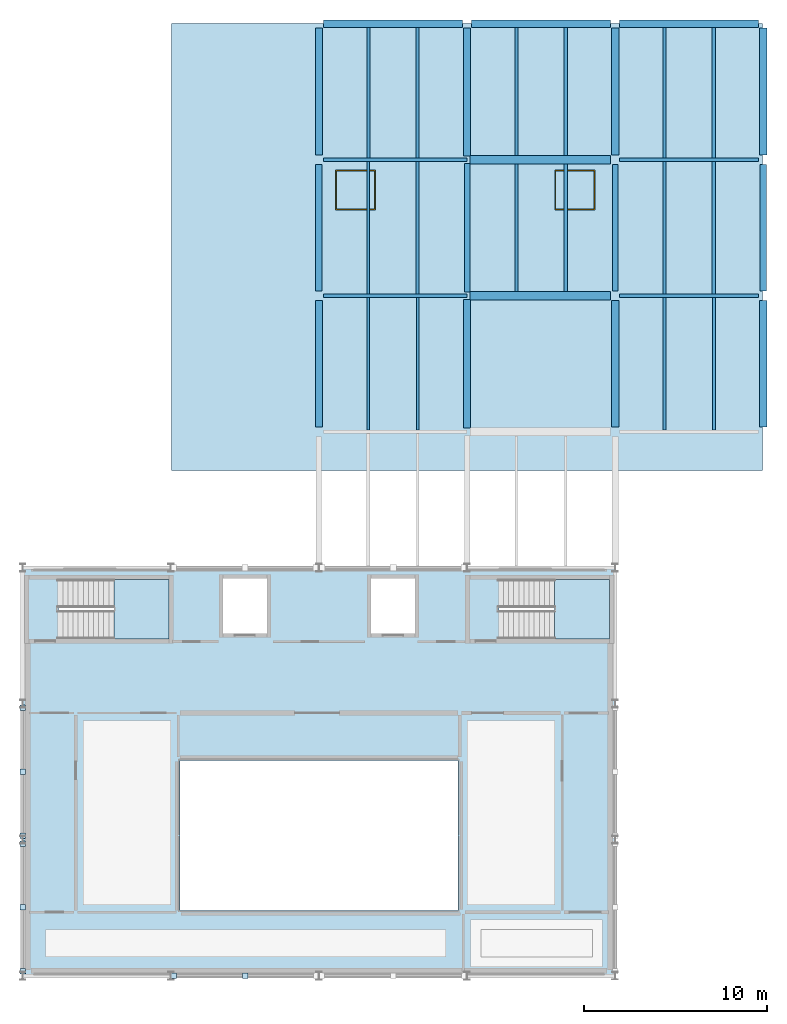
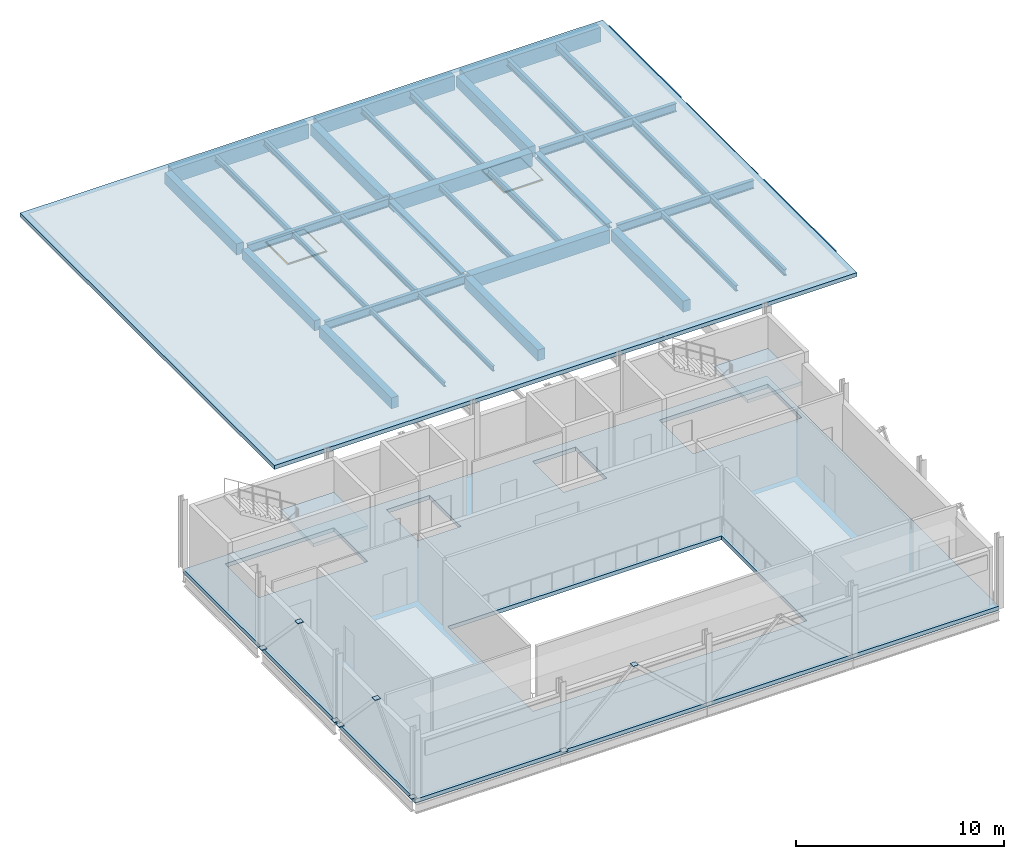
# One storey, part 2 of 7: 37 beams, 10 plates, 4 slabs, 2 windows, 2 openings, 2 elements without a shape of their own.
"""IFC4 building model written with IfcOpenShell, lengths in metres."""

from ifc_helpers import new_model, si_unit, direction, frame, origin, origin_2d, place, context, subcontext, project, spatial, polyline, rectangle, i_section, outline, extrude, material, layer, layer_set, material_profile, profile_set, type_object, element, fill, aggregate, save


model = new_model("IFC4")

# Units and contexts
model_context = context("Model", 3, precision=1e-05, world=origin(), true_north=direction((0.0, 1.0)))
body_context = subcontext(model_context, "Body", "Model", "MODEL_VIEW")
ifc_project = project(units=[si_unit("LENGTHUNIT", "METRE"), si_unit("AREAUNIT", "SQUARE_METRE"), si_unit("VOLUMEUNIT", "CUBIC_METRE"), si_unit("PLANEANGLEUNIT", "RADIAN"), si_unit("MASSUNIT", "GRAM", prefix="KILO")], contexts=[model_context])

# Site, building, storey
site_placement = place(None, origin())
site = spatial("IfcSite", under=ifc_project, at=site_placement, CompositionType="ELEMENT")
building_placement = place(site_placement, origin())
building = spatial("IfcBuilding", under=site, at=building_placement, Name="Kaelora Sail Theatre", CompositionType="ELEMENT")
storey_placement = place(building_placement, frame((0.0, 0.0, 23.39990234375)))
storey = spatial("IfcBuildingStorey", under=building, at=storey_placement, Name="L05", CompositionType="ELEMENT", Elevation=23.39990234375)

# Beams
ifc_material_1 = material(Name="Steel S355", Category="steel")
ifc_material_profile_1 = material_profile(ifc_material_1, i_section(OverallWidth=0.300048828125, OverallDepth=0.31005859375, WebThickness=0.009033203125, FlangeThickness=0.015380859375, FilletRadius=0.027099609375, at=origin_2d()), Name="HEA 320")
ifc_profile_set_1 = profile_set([ifc_material_profile_1], Name="Steel S355")
beam_type_1 = type_object("IfcBeamType", Name="STR-BM-BM-HEA320", PredefinedType="BEAM", material=ifc_profile_set_1)
beam_1_placement = place(storey_placement, frame((50.10009765625, 98.419921875, -0.389892578125), z_axis=(0.0, 1.0, 0.0), x_axis=(-1.0, 0.0, 0.0)))
element("IfcBeam", 1, at=beam_1_placement, inside=storey, type_object=beam_type_1, Name="Primary beam 7 N-O (L05)", PredefinedType="BEAM", context=body_context, shape_type="SweptSolid", body=[
    extrude(i_section(OverallWidth=0.300048828125, OverallDepth=0.31005859375, WebThickness=0.009033203125, FlangeThickness=0.015380859375, FilletRadius=0.027099609375, at=origin_2d()), origin(), (0.0, 0.0, 1.0), 7.0400390625),
])
beam_2_placement = place(storey_placement, frame((58.199951171875, 98.469970703125, -0.389892578125), z_axis=(0.0, 1.0, 0.0), x_axis=(-1.0, 0.0, 0.0)))
element("IfcBeam", 2, at=beam_2_placement, inside=storey, type_object=beam_type_1, Name="Primary beam 8 N-O (L05)", PredefinedType="BEAM", context=body_context, shape_type="SweptSolid", body=[
    extrude(i_section(OverallWidth=0.300048828125, OverallDepth=0.31005859375, WebThickness=0.009033203125, FlangeThickness=0.015380859375, FilletRadius=0.027099609375, at=origin_2d()), origin(), (0.0, 0.0, 1.0), 6.93994140625),
])
ifc_material_2 = material(Name="Steel S355", Category="steel")
ifc_material_profile_2 = material_profile(ifc_material_2, i_section(OverallWidth=0.18994140625, OverallDepth=0.449951171875, WebThickness=0.009521484375, FlangeThickness=0.0146484375, FilletRadius=0.02099609375, at=origin_2d()), Name="IPE 450")
ifc_profile_set_2 = profile_set([ifc_material_profile_2], Name="Steel S355")
beam_type_2 = type_object("IfcBeamType", Name="STR-BM-BM-IPE450", PredefinedType="BEAM", material=ifc_profile_set_2)
beam_3_placement = place(storey_placement, frame((63.60009765625, 105.760009765625, -0.4599609375), z_axis=(0.0, 1.0, 0.0), x_axis=(-1.0, 0.0, 0.0)))
element("IfcBeam", 3, at=beam_3_placement, inside=storey, type_object=beam_type_2, Name="Secondary floor joist 8/O-2 (L05)", PredefinedType="BEAM", context=body_context, shape_type="SweptSolid", body=[
    extrude(i_section(OverallWidth=0.18994140625, OverallDepth=0.449951171875, WebThickness=0.009521484375, FlangeThickness=0.0146484375, FilletRadius=0.02099609375, at=origin_2d()), origin(), (0.0, 0.0, 1.0), 7.139892578125),
])
ifc_material_3 = material(Name="Steel S355", Category="steel")
ifc_material_profile_3 = material_profile(ifc_material_3, i_section(OverallWidth=0.199951171875, OverallDepth=0.5, WebThickness=0.01025390625, FlangeThickness=0.01611328125, FilletRadius=0.02099609375, at=origin_2d()), Name="IPE 500")
ifc_profile_set_3 = profile_set([ifc_material_profile_3], Name="Steel S355")
beam_type_3 = type_object("IfcBeamType", Name="STR-BM-BM-IPE500", PredefinedType="BEAM", material=ifc_profile_set_3)
for number, where, z_axis, x_axis, name in (
    (4, (42.25, 98.219970703125, -0.48486328125), (1.0, 0.0, 0.0), (0.0, 1.0, 0.0), "Primary beam N 6-7 (L05)"),
    (5, (42.25, 105.659912109375, -0.48486328125), (1.0, 0.0, 0.0), (0.0, 1.0, 0.0), "Primary beam O 6-7 (L05)"),
):
    element("IfcBeam", number, at=place(storey_placement, frame(where, z_axis=z_axis, x_axis=x_axis)), inside=storey, type_object=beam_type_3, Name=name, PredefinedType="BEAM", context=body_context, shape_type="SweptSolid", body=[
        extrude(i_section(OverallWidth=0.199951171875, OverallDepth=0.5, WebThickness=0.01025390625, FlangeThickness=0.01611328125, FilletRadius=0.02099609375, at=origin_2d()), origin(), (0.0, 0.0, 1.0), 7.841064453125),
    ])
for number, where, z_axis, x_axis, name in (
    (6, (58.449951171875, 98.219970703125, -0.48486328125), (1.0, 0.0, 0.0), (0.0, 1.0, 0.0), "Primary beam N 8-9 (L05)"),
    (7, (58.449951171875, 105.659912109375, -0.48486328125), (1.0, 0.0, 0.0), (0.0, 1.0, 0.0), "Primary beam O 8-9 (L05)"),
):
    element("IfcBeam", number, at=place(storey_placement, frame(where, z_axis=z_axis, x_axis=x_axis)), inside=storey, type_object=beam_type_3, Name=name, PredefinedType="BEAM", context=body_context, shape_type="SweptSolid", body=[
        extrude(i_section(OverallWidth=0.199951171875, OverallDepth=0.5, WebThickness=0.01025390625, FlangeThickness=0.01611328125, FilletRadius=0.02099609375, at=origin_2d()), origin(), (0.0, 0.0, 1.0), 7.60009765625),
    ])
ifc_material_4 = material(Name="Concrete C40/50", Category="concrete")
ifc_material_profile_4 = material_profile(ifc_material_4, rectangle(XDim=0.35009765625, YDim=0.60009765625, at=origin_2d()), Name="RC-BM 350x600")
ifc_profile_set_4 = profile_set([ifc_material_profile_4], Name="Concrete C40/50")
beam_type_4 = type_object("IfcBeamType", Name="STR-BM-BM-RC3560", PredefinedType="BEAM", material=ifc_profile_set_4)
for number, where, z_axis, x_axis, name in (
    (8, (42.0, 98.469970703125, -0.534912109375), (0.0, 1.0, 0.0), (-1.0, 0.0, 0.0), "Primary beam 6 N-O (L05)"),
    (9, (66.300048828125, 98.469970703125, -0.534912109375), (0.0, 1.0, 0.0), (-1.0, 0.0, 0.0), "Primary beam 9 N-O (L05)"),
):
    element("IfcBeam", number, at=place(storey_placement, frame(where, z_axis=z_axis, x_axis=x_axis)), inside=storey, type_object=beam_type_4, Name=name, PredefinedType="BEAM", context=body_context, shape_type="SweptSolid", body=[
        extrude(rectangle(XDim=0.35009765625, YDim=0.60009765625, at=origin_2d()), origin(), (0.0, 0.0, 1.0), 6.93994140625),
    ])
ifc_material_5 = material(Name="Concrete C40/50", Category="concrete")
ifc_material_profile_5 = material_profile(ifc_material_5, rectangle(XDim=0.39990234375, YDim=0.64990234375, at=origin_2d()), Name="RC-BM 400x650")
ifc_profile_set_5 = profile_set([ifc_material_profile_5], Name="Concrete C40/50")
beam_type_5 = type_object("IfcBeamType", Name="STR-BM-BM-RC4065", PredefinedType="BEAM", material=ifc_profile_set_5)
beam_4_placement = place(storey_placement, frame((42.0, 91.030029296875, -0.559814453125), z_axis=(0.0, 1.0, 0.0), x_axis=(-1.0, 0.0, 0.0)))
element("IfcBeam", 10, at=beam_4_placement, inside=storey, type_object=beam_type_5, Name="Primary beam 6 M-N (L05)", PredefinedType="BEAM", context=body_context, shape_type="SweptSolid", body=[
    extrude(rectangle(XDim=0.39990234375, YDim=0.64990234375, at=origin_2d()), origin(), (0.0, 0.0, 1.0), 6.93994140625),
])
beam_5_placement = place(storey_placement, frame((42.0, 105.909912109375, -0.559814453125), z_axis=(0.0, 1.0, 0.0), x_axis=(-1.0, 0.0, 0.0)))
element("IfcBeam", 11, at=beam_5_placement, inside=storey, type_object=beam_type_5, Name="Primary beam 6 O-P (L05)", PredefinedType="BEAM", context=body_context, shape_type="SweptSolid", body=[
    extrude(rectangle(XDim=0.39990234375, YDim=0.64990234375, at=origin_2d()), origin(), (0.0, 0.0, 1.0), 6.940185546875),
])
beam_6_placement = place(storey_placement, frame((50.10009765625, 90.97998046875, -0.559814453125), z_axis=(0.0, 1.0, 0.0), x_axis=(-1.0, 0.0, 0.0)))
element("IfcBeam", 12, at=beam_6_placement, inside=storey, type_object=beam_type_5, Name="Primary beam 7 M-N (L05)", PredefinedType="BEAM", context=body_context, shape_type="SweptSolid", body=[
    extrude(rectangle(XDim=0.39990234375, YDim=0.64990234375, at=origin_2d()), origin(), (0.0, 0.0, 1.0), 7.0400390625),
])
beam_7_placement = place(storey_placement, frame((50.10009765625, 105.860107421875, -0.559814453125), z_axis=(0.0, 1.0, 0.0), x_axis=(-1.0, 0.0, 0.0)))
element("IfcBeam", 13, at=beam_7_placement, inside=storey, type_object=beam_type_5, Name="Primary beam 7 O-P (L05)", PredefinedType="BEAM", context=body_context, shape_type="SweptSolid", body=[
    extrude(rectangle(XDim=0.39990234375, YDim=0.64990234375, at=origin_2d()), origin(), (0.0, 0.0, 1.0), 6.989990234375),
])
beam_8_placement = place(storey_placement, frame((58.199951171875, 91.030029296875, -0.559814453125), z_axis=(0.0, 1.0, 0.0), x_axis=(-1.0, 0.0, 0.0)))
element("IfcBeam", 14, at=beam_8_placement, inside=storey, type_object=beam_type_5, Name="Primary beam 8 M-N (L05)", PredefinedType="BEAM", context=body_context, shape_type="SweptSolid", body=[
    extrude(rectangle(XDim=0.39990234375, YDim=0.64990234375, at=origin_2d()), origin(), (0.0, 0.0, 1.0), 6.93994140625),
])
beam_9_placement = place(storey_placement, frame((58.199951171875, 105.909912109375, -0.559814453125), z_axis=(0.0, 1.0, 0.0), x_axis=(-1.0, 0.0, 0.0)))
element("IfcBeam", 15, at=beam_9_placement, inside=storey, type_object=beam_type_5, Name="Primary beam 8 O-P (L05)", PredefinedType="BEAM", context=body_context, shape_type="SweptSolid", body=[
    extrude(rectangle(XDim=0.39990234375, YDim=0.64990234375, at=origin_2d()), origin(), (0.0, 0.0, 1.0), 6.940185546875),
])
beam_10_placement = place(storey_placement, frame((66.300048828125, 91.030029296875, -0.559814453125), z_axis=(0.0, 1.0, 0.0), x_axis=(-1.0, 0.0, 0.0)))
element("IfcBeam", 16, at=beam_10_placement, inside=storey, type_object=beam_type_5, Name="Primary beam 9 M-N (L05)", PredefinedType="BEAM", context=body_context, shape_type="SweptSolid", body=[
    extrude(rectangle(XDim=0.39990234375, YDim=0.64990234375, at=origin_2d()), origin(), (0.0, 0.0, 1.0), 6.93994140625),
])
beam_11_placement = place(storey_placement, frame((66.300048828125, 105.909912109375, -0.559814453125), z_axis=(0.0, 1.0, 0.0), x_axis=(-1.0, 0.0, 0.0)))
element("IfcBeam", 17, at=beam_11_placement, inside=storey, type_object=beam_type_5, Name="Primary beam 9 O-P (L05)", PredefinedType="BEAM", context=body_context, shape_type="SweptSolid", body=[
    extrude(rectangle(XDim=0.39990234375, YDim=0.64990234375, at=origin_2d()), origin(), (0.0, 0.0, 1.0), 6.940185546875),
])
ifc_material_6 = material(Name="Concrete C45/55", Category="concrete")
ifc_material_profile_6 = material_profile(ifc_material_6, rectangle(XDim=0.449951171875, YDim=0.800048828125, at=origin_2d()), Name="RC-BM 450x800")
ifc_profile_set_6 = profile_set([ifc_material_profile_6], Name="Concrete C45/55")
beam_type_6 = type_object("IfcBeamType", Name="STR-BM-BM-RC4580", PredefinedType="BEAM", material=ifc_profile_set_6)
for number, where, z_axis, x_axis, name in (
    (18, (50.25, 98.219970703125, -0.635009765625), (1.0, 0.0, 0.0), (0.0, 1.0, 0.0), "Primary beam N 7-8 (L05)"),
    (19, (50.25, 105.659912109375, -0.635009765625), (1.0, 0.0, 0.0), (0.0, 1.0, 0.0), "Primary beam O 7-8 (L05)"),
):
    element("IfcBeam", number, at=place(storey_placement, frame(where, z_axis=z_axis, x_axis=x_axis)), inside=storey, type_object=beam_type_6, Name=name, PredefinedType="BEAM", context=body_context, shape_type="SweptSolid", body=[
        extrude(rectangle(XDim=0.449951171875, YDim=0.800048828125, at=origin_2d()), origin(), (0.0, 0.0, 1.0), 7.699951171875),
    ])
ifc_material_7 = material(Name="Steel S355", Category="steel")
ifc_material_profile_7 = material_profile(ifc_material_7, i_section(OverallWidth=0.135009765625, OverallDepth=0.27001953125, WebThickness=0.006591796875, FlangeThickness=0.01025390625, FilletRadius=0.014892578125, at=origin_2d()), Name="IPE 270")
ifc_profile_set_7 = profile_set([ifc_material_profile_7], Name="Steel S355")
beam_type_7 = type_object("IfcBeamType", Name="STR-BM-JS-IPE270", PredefinedType="JOIST", material=ifc_profile_set_7)
beam_12_placement = place(storey_placement, frame((44.699951171875, 90.8798828125, -0.369873046875), z_axis=(0.0, 1.0, 0.0), x_axis=(-1.0, 0.0, 0.0)))
element("IfcBeam", 20, at=beam_12_placement, inside=storey, type_object=beam_type_7, Name="Secondary floor joist 6/M-1 (L05)", PredefinedType="JOIST", context=body_context, shape_type="SweptSolid", body=[
    extrude(i_section(OverallWidth=0.135009765625, OverallDepth=0.27001953125, WebThickness=0.006591796875, FlangeThickness=0.01025390625, FilletRadius=0.014892578125, at=origin_2d()), origin(), (0.0, 0.0, 1.0), 7.240234375),
])
ifc_material_8 = material(Name="Steel S355", Category="steel")
ifc_material_profile_8 = material_profile(ifc_material_8, i_section(OverallWidth=0.14990234375, OverallDepth=0.300048828125, WebThickness=0.007080078125, FlangeThickness=0.0107421875, FilletRadius=0.014892578125, at=origin_2d()), Name="IPE 300")
ifc_profile_set_8 = profile_set([ifc_material_profile_8], Name="Steel S355")
beam_type_8 = type_object("IfcBeamType", Name="STR-BM-JS-IPE300", PredefinedType="JOIST", material=ifc_profile_set_8)
beam_13_placement = place(storey_placement, frame((47.39990234375, 90.8798828125, -0.385009765625), z_axis=(0.0, 1.0, 0.0), x_axis=(-1.0, 0.0, 0.0)))
element("IfcBeam", 21, at=beam_13_placement, inside=storey, type_object=beam_type_8, Name="Secondary floor joist 6/M-2 (L05)", PredefinedType="JOIST", context=body_context, shape_type="SweptSolid", body=[
    extrude(i_section(OverallWidth=0.14990234375, OverallDepth=0.300048828125, WebThickness=0.007080078125, FlangeThickness=0.0107421875, FilletRadius=0.014892578125, at=origin_2d()), origin(), (0.0, 0.0, 1.0), 7.240234375),
])
beam_14_placement = place(storey_placement, frame((44.699951171875, 98.320068359375, -0.385009765625), z_axis=(0.0, 1.0, 0.0), x_axis=(-1.0, 0.0, 0.0)))
element("IfcBeam", 22, at=beam_14_placement, inside=storey, type_object=beam_type_8, Name="Secondary floor joist 6/N-1 (L05)", PredefinedType="JOIST", context=body_context, shape_type="SweptSolid", body=[
    extrude(i_section(OverallWidth=0.14990234375, OverallDepth=0.300048828125, WebThickness=0.007080078125, FlangeThickness=0.0107421875, FilletRadius=0.014892578125, at=origin_2d()), origin(), (0.0, 0.0, 1.0), 7.239990234375),
])
ifc_material_9 = material(Name="Steel S355", Category="steel")
ifc_material_profile_9 = material_profile(ifc_material_9, i_section(OverallWidth=0.159912109375, OverallDepth=0.330078125, WebThickness=0.007568359375, FlangeThickness=0.011474609375, FilletRadius=0.01806640625, at=origin_2d()), Name="IPE 330")
ifc_profile_set_9 = profile_set([ifc_material_profile_9], Name="Steel S355")
beam_type_9 = type_object("IfcBeamType", Name="STR-BM-JS-IPE330", PredefinedType="JOIST", material=ifc_profile_set_9)
beam_15_placement = place(storey_placement, frame((47.39990234375, 98.320068359375, -0.39990234375), z_axis=(0.0, 1.0, 0.0), x_axis=(-1.0, 0.0, 0.0)))
element("IfcBeam", 23, at=beam_15_placement, inside=storey, type_object=beam_type_9, Name="Secondary floor joist 6/N-2 (L05)", PredefinedType="JOIST", context=body_context, shape_type="SweptSolid", body=[
    extrude(i_section(OverallWidth=0.159912109375, OverallDepth=0.330078125, WebThickness=0.007568359375, FlangeThickness=0.011474609375, FilletRadius=0.01806640625, at=origin_2d()), origin(), (0.0, 0.0, 1.0), 7.239990234375),
])
beam_16_placement = place(storey_placement, frame((44.699951171875, 105.760009765625, -0.39990234375), z_axis=(0.0, 1.0, 0.0), x_axis=(-1.0, 0.0, 0.0)))
element("IfcBeam", 24, at=beam_16_placement, inside=storey, type_object=beam_type_9, Name="Secondary floor joist 6/O-1 (L05)", PredefinedType="JOIST", context=body_context, shape_type="SweptSolid", body=[
    extrude(i_section(OverallWidth=0.159912109375, OverallDepth=0.330078125, WebThickness=0.007568359375, FlangeThickness=0.011474609375, FilletRadius=0.01806640625, at=origin_2d()), origin(), (0.0, 0.0, 1.0), 7.139892578125),
])
beam_17_placement = place(storey_placement, frame((52.800048828125, 98.445068359375, -0.39990234375), z_axis=(0.0, 1.0, 0.0), x_axis=(-1.0, 0.0, 0.0)))
element("IfcBeam", 25, at=beam_17_placement, inside=storey, type_object=beam_type_9, Name="Secondary floor joist 7/N-1 (L05)", PredefinedType="JOIST", context=body_context, shape_type="SweptSolid", body=[
    extrude(i_section(OverallWidth=0.159912109375, OverallDepth=0.330078125, WebThickness=0.007568359375, FlangeThickness=0.011474609375, FilletRadius=0.01806640625, at=origin_2d()), origin(), (0.0, 0.0, 1.0), 6.989990234375),
])
beam_18_placement = place(storey_placement, frame((60.89990234375, 90.8798828125, -0.39990234375), z_axis=(0.0, 1.0, 0.0), x_axis=(-1.0, 0.0, 0.0)))
element("IfcBeam", 26, at=beam_18_placement, inside=storey, type_object=beam_type_9, Name="Secondary floor joist 8/M-1 (L05)", PredefinedType="JOIST", context=body_context, shape_type="SweptSolid", body=[
    extrude(i_section(OverallWidth=0.159912109375, OverallDepth=0.330078125, WebThickness=0.007568359375, FlangeThickness=0.011474609375, FilletRadius=0.01806640625, at=origin_2d()), origin(), (0.0, 0.0, 1.0), 7.240234375),
])
ifc_material_10 = material(Name="Steel S355", Category="steel")
ifc_material_profile_10 = material_profile(ifc_material_10, i_section(OverallWidth=0.169921875, OverallDepth=0.360107421875, WebThickness=0.008056640625, FlangeThickness=0.0126953125, FilletRadius=0.01806640625, at=origin_2d()), Name="IPE 360")
ifc_profile_set_10 = profile_set([ifc_material_profile_10], Name="Steel S355")
beam_type_10 = type_object("IfcBeamType", Name="STR-BM-JS-IPE360", PredefinedType="JOIST", material=ifc_profile_set_10)
beam_19_placement = place(storey_placement, frame((47.39990234375, 105.760009765625, -0.414794921875), z_axis=(0.0, 1.0, 0.0), x_axis=(-1.0, 0.0, 0.0)))
element("IfcBeam", 27, at=beam_19_placement, inside=storey, type_object=beam_type_10, Name="Secondary floor joist 6/O-2 (L05)", PredefinedType="JOIST", context=body_context, shape_type="SweptSolid", body=[
    extrude(i_section(OverallWidth=0.169921875, OverallDepth=0.360107421875, WebThickness=0.008056640625, FlangeThickness=0.0126953125, FilletRadius=0.01806640625, at=origin_2d()), origin(), (0.0, 0.0, 1.0), 7.139892578125),
])
beam_20_placement = place(storey_placement, frame((55.5, 98.445068359375, -0.414794921875), z_axis=(0.0, 1.0, 0.0), x_axis=(-1.0, 0.0, 0.0)))
element("IfcBeam", 28, at=beam_20_placement, inside=storey, type_object=beam_type_10, Name="Secondary floor joist 7/N-2 (L05)", PredefinedType="JOIST", context=body_context, shape_type="SweptSolid", body=[
    extrude(i_section(OverallWidth=0.169921875, OverallDepth=0.360107421875, WebThickness=0.008056640625, FlangeThickness=0.0126953125, FilletRadius=0.01806640625, at=origin_2d()), origin(), (0.0, 0.0, 1.0), 6.989990234375),
])
beam_21_placement = place(storey_placement, frame((52.800048828125, 105.885009765625, -0.414794921875), z_axis=(0.0, 1.0, 0.0), x_axis=(-1.0, 0.0, 0.0)))
element("IfcBeam", 29, at=beam_21_placement, inside=storey, type_object=beam_type_10, Name="Secondary floor joist 7/O-1 (L05)", PredefinedType="JOIST", context=body_context, shape_type="SweptSolid", body=[
    extrude(i_section(OverallWidth=0.169921875, OverallDepth=0.360107421875, WebThickness=0.008056640625, FlangeThickness=0.0126953125, FilletRadius=0.01806640625, at=origin_2d()), origin(), (0.0, 0.0, 1.0), 7.014892578125),
])
beam_22_placement = place(storey_placement, frame((63.60009765625, 90.8798828125, -0.414794921875), z_axis=(0.0, 1.0, 0.0), x_axis=(-1.0, 0.0, 0.0)))
element("IfcBeam", 30, at=beam_22_placement, inside=storey, type_object=beam_type_10, Name="Secondary floor joist 8/M-2 (L05)", PredefinedType="JOIST", context=body_context, shape_type="SweptSolid", body=[
    extrude(i_section(OverallWidth=0.169921875, OverallDepth=0.360107421875, WebThickness=0.008056640625, FlangeThickness=0.0126953125, FilletRadius=0.01806640625, at=origin_2d()), origin(), (0.0, 0.0, 1.0), 7.240234375),
])
beam_23_placement = place(storey_placement, frame((60.89990234375, 98.320068359375, -0.414794921875), z_axis=(0.0, 1.0, 0.0), x_axis=(-1.0, 0.0, 0.0)))
element("IfcBeam", 31, at=beam_23_placement, inside=storey, type_object=beam_type_10, Name="Secondary floor joist 8/N-1 (L05)", PredefinedType="JOIST", context=body_context, shape_type="SweptSolid", body=[
    extrude(i_section(OverallWidth=0.169921875, OverallDepth=0.360107421875, WebThickness=0.008056640625, FlangeThickness=0.0126953125, FilletRadius=0.01806640625, at=origin_2d()), origin(), (0.0, 0.0, 1.0), 7.239990234375),
])
ifc_material_11 = material(Name="Steel S355", Category="steel")
ifc_material_profile_11 = material_profile(ifc_material_11, i_section(OverallWidth=0.179931640625, OverallDepth=0.39990234375, WebThickness=0.008544921875, FlangeThickness=0.013427734375, FilletRadius=0.02099609375, at=origin_2d()), Name="IPE 400")
ifc_profile_set_11 = profile_set([ifc_material_profile_11], Name="Steel S355")
beam_type_11 = type_object("IfcBeamType", Name="STR-BM-JS-IPE400", PredefinedType="JOIST", material=ifc_profile_set_11)
beam_24_placement = place(storey_placement, frame((55.5, 105.885009765625, -0.434814453125), z_axis=(0.0, 1.0, 0.0), x_axis=(-1.0, 0.0, 0.0)))
element("IfcBeam", 32, at=beam_24_placement, inside=storey, type_object=beam_type_11, Name="Secondary floor joist 7/O-2 (L05)", PredefinedType="JOIST", context=body_context, shape_type="SweptSolid", body=[
    extrude(i_section(OverallWidth=0.179931640625, OverallDepth=0.39990234375, WebThickness=0.008544921875, FlangeThickness=0.013427734375, FilletRadius=0.02099609375, at=origin_2d()), origin(), (0.0, 0.0, 1.0), 7.014892578125),
])
beam_25_placement = place(storey_placement, frame((63.60009765625, 98.320068359375, -0.434814453125), z_axis=(0.0, 1.0, 0.0), x_axis=(-1.0, 0.0, 0.0)))
element("IfcBeam", 33, at=beam_25_placement, inside=storey, type_object=beam_type_11, Name="Secondary floor joist 8/N-2 (L05)", PredefinedType="JOIST", context=body_context, shape_type="SweptSolid", body=[
    extrude(i_section(OverallWidth=0.179931640625, OverallDepth=0.39990234375, WebThickness=0.008544921875, FlangeThickness=0.013427734375, FilletRadius=0.02099609375, at=origin_2d()), origin(), (0.0, 0.0, 1.0), 7.239990234375),
])
beam_26_placement = place(storey_placement, frame((60.89990234375, 105.760009765625, -0.434814453125), z_axis=(0.0, 1.0, 0.0), x_axis=(-1.0, 0.0, 0.0)))
element("IfcBeam", 34, at=beam_26_placement, inside=storey, type_object=beam_type_11, Name="Secondary floor joist 8/O-1 (L05)", PredefinedType="JOIST", context=body_context, shape_type="SweptSolid", body=[
    extrude(i_section(OverallWidth=0.179931640625, OverallDepth=0.39990234375, WebThickness=0.008544921875, FlangeThickness=0.013427734375, FilletRadius=0.02099609375, at=origin_2d()), origin(), (0.0, 0.0, 1.0), 7.139892578125),
])
ifc_material_12 = material(Name="Concrete C45/55", Category="concrete")
ifc_material_profile_12 = material_profile(ifc_material_12, rectangle(XDim=0.39990234375, YDim=0.85009765625, at=origin_2d()), Name="RC-SPN 400x850")
ifc_profile_set_12 = profile_set([ifc_material_profile_12], Name="Concrete C45/55")
beam_type_12 = type_object("IfcBeamType", Name="STR-BM-SP-RC4085", PredefinedType="SPANDREL", material=ifc_profile_set_12)
beam_27_placement = place(storey_placement, frame((42.25, 113.10009765625, -0.659912109375), z_axis=(1.0, 0.0, 0.0), x_axis=(0.0, 1.0, 0.0)))
element("IfcBeam", 35, at=beam_27_placement, inside=storey, type_object=beam_type_12, Name="Primary beam P 6-7 (L05)", PredefinedType="SPANDREL", context=body_context, shape_type="SweptSolid", body=[
    extrude(rectangle(XDim=0.39990234375, YDim=0.85009765625, at=origin_2d()), origin(), (0.0, 0.0, 1.0), 7.60009765625),
])
beam_28_placement = place(storey_placement, frame((50.35009765625, 113.10009765625, -0.659912109375), z_axis=(1.0, 0.0, 0.0), x_axis=(0.0, 1.0, 0.0)))
element("IfcBeam", 36, at=beam_28_placement, inside=storey, type_object=beam_type_12, Name="Primary beam P 7-8 (L05)", PredefinedType="SPANDREL", context=body_context, shape_type="SweptSolid", body=[
    extrude(rectangle(XDim=0.39990234375, YDim=0.85009765625, at=origin_2d()), origin(), (0.0, 0.0, 1.0), 7.599853515625),
])
beam_29_placement = place(storey_placement, frame((58.449951171875, 113.10009765625, -0.659912109375), z_axis=(1.0, 0.0, 0.0), x_axis=(0.0, 1.0, 0.0)))
element("IfcBeam", 37, at=beam_29_placement, inside=storey, type_object=beam_type_12, Name="Primary beam P 8-9 (L05)", PredefinedType="SPANDREL", context=body_context, shape_type="SweptSolid", body=[
    extrude(rectangle(XDim=0.39990234375, YDim=0.85009765625, at=origin_2d()), origin(), (0.0, 0.0, 1.0), 7.60009765625),
])

# Plates
ifc_material_13 = material(Name="Laminated solar-control skylight glass", Category="glass")
ifc_layer_1 = layer(ifc_material_13, 0.035888671875)
ifc_layer_set_1 = layer_set([ifc_layer_1], Name="Laminated solar-control skylight glass")
plate_type_1 = type_object("IfcPlateType", Name="ARC-PL-SKL-GLS-36", PredefinedType="USERDEFINED", material=ifc_layer_set_1)
for number, where, z_axis, x_axis, name in (
    (38, (44.0, 104.0, 0.0), (0.0, 0.0, 1.0), (1.0, 0.0, 0.0), "Skylight laminated glazing SKL-06"),
    (39, (56.0, 104.0, 0.0), (0.0, 0.0, 1.0), (1.0, 0.0, 0.0), "Skylight laminated glazing SKL-07"),
):
    element("IfcPlate", number, at=place(storey_placement, frame(where, z_axis=z_axis, x_axis=x_axis)), inside=storey, type_object=plate_type_1, Name=name, ObjectType="SKYLIGHT PANEL", PredefinedType="USERDEFINED", context=body_context, shape_type="SweptSolid", body=[
        extrude(rectangle(XDim=2.10009765625, YDim=2.10009765625, at=origin_2d()), origin(), (0.0, 0.0, 1.0), 0.035888671875),
    ])

# Stair, slab
ifc_material_14 = material(Name="Concrete C40/50", Category="concrete")
stair_type = type_object("IfcStairType", Name="ARC-ST-ESC150", PredefinedType="HALF_TURN_STAIR", material=ifc_material_14)
stair_1_placement = place(storey_placement, origin())
stair_1 = element("IfcStair", 40, at=stair_1_placement, inside=storey, type_object=stair_type, Name="L05 ST-K1", PredefinedType="HALF_TURN_STAIR")
ifc_material_15 = material(Name="Concrete C40/50", Category="concrete")
ifc_layer_2 = layer(ifc_material_15, 0.219970703125)
ifc_layer_set_2 = layer_set([ifc_layer_2], Name="Concrete C40/50")
slab_type_1 = type_object("IfcSlabType", Name="ARC-SLB-LND220", PredefinedType="LANDING", material=ifc_layer_set_2)
slab_1_placement = place(storey_placement, frame((0.0, 0.0, 1.900146484375)))
slab_1 = element("IfcSlab", 41, at=slab_1_placement, type_object=slab_type_1, Name="ST-K1 landing 1", PredefinedType="LANDING", context=body_context, shape_type="SweptSolid", body=[
    extrude(outline(polyline([(30.7900390625, 79.449951171875), (33.800048828125, 79.449951171875), (33.800048828125, 82.699951171875), (30.7900390625, 82.699951171875), (30.7900390625, 79.449951171875)])), origin(), (0.0, 0.0, 1.0), 0.199951171875),
])
aggregate(stair_1, [slab_1])

stair_2_placement = place(storey_placement, origin())
stair_2 = element("IfcStair", 42, at=stair_2_placement, inside=storey, type_object=stair_type, Name="L05 ST-K5", PredefinedType="HALF_TURN_STAIR")
slab_2_placement = place(storey_placement, frame((0.0, 0.0, 1.900146484375)))
slab_2 = element("IfcSlab", 43, at=slab_2_placement, type_object=slab_type_1, Name="ST-K5 landing 1", PredefinedType="LANDING", context=body_context, shape_type="SweptSolid", body=[
    extrude(outline(polyline([(54.889892578125, 79.449951171875), (57.89990234375, 79.449951171875), (57.89990234375, 82.699951171875), (54.889892578125, 82.699951171875), (54.889892578125, 79.449951171875)])), origin(), (0.0, 0.0, 1.0), 0.199951171875),
])
aggregate(stair_2, [slab_2])

# Plates
ifc_material_16 = material(Name="Steel S355", Category="steel")
ifc_layer_3 = layer(ifc_material_16, 0.02587890625)
ifc_layer_set_3 = layer_set([ifc_layer_3], Name="Steel S355")
plate_type_2 = type_object("IfcPlateType", Name="STR-PL-EP-26", PredefinedType="SHEET", material=ifc_layer_set_3)
for number, where, z_axis, x_axis, name in (
    (44, (25.800048828125, 61.27197265625, -0.001220703125), (0.0, 0.0, 1.0), (1.0, 0.0, 0.0), "Fly Tower chevron brace L05 WS1 end cap plate A"),
    (45, (25.800048828125, 64.762939453125, 3.675537109375), (0.0, 0.0, 1.0), (1.0, 0.0, 0.0), "Fly Tower chevron brace L05 WS1 end cap plate B"),
    (46, (25.800048828125, 68.238037109375, -0.001220703125), (0.0, 0.0, 1.0), (1.0, 0.0, 0.0), "Fly Tower chevron brace L05 WS2 end cap plate A"),
    (47, (25.800048828125, 68.681884765625, -0.001220703125), (0.0, 0.0, 1.0), (1.0, 0.0, 0.0), "Fly Tower chevron brace L05 WM1 end cap plate A"),
    (48, (25.800048828125, 72.18798828125, 3.675537109375), (0.0, 0.0, 1.0), (1.0, 0.0, 0.0), "Fly Tower chevron brace L05 WM1 end cap plate B"),
    (49, (25.800048828125, 75.677978515625, -0.001220703125), (0.0, 0.0, 1.0), (1.0, 0.0, 0.0), "Fly Tower chevron brace L05 WM2 end cap plate A"),
    (50, (34.051513671875, 61.02001953125, -0.0009765625), (0.0, 0.0, 1.0), (1.0, 0.0, 0.0), "Fly Tower south stage-house chevron brace L05 S2-1 end cap plate A"),
    (51, (37.95849609375, 61.02001953125, 3.67529296875), (0.0, 0.0, 1.0), (1.0, 0.0, 0.0), "Fly Tower south stage-house chevron brace L05 S2-1 end cap plate B"),
):
    element("IfcPlate", number, at=place(storey_placement, frame(where, z_axis=z_axis, x_axis=x_axis)), inside=storey, type_object=plate_type_2, Name=name, PredefinedType="SHEET", context=body_context, shape_type="SweptSolid", body=[
        extrude(rectangle(XDim=0.300048828125, YDim=0.300048828125, at=origin_2d()), origin(), (0.0, 0.0, 1.0), 0.02587890625),
    ])

# Slab
ifc_material_17 = material(Name="Concrete C40/50", Category="concrete")
ifc_layer_4 = layer(ifc_material_17, 0.22998046875)
ifc_layer_set_4 = layer_set([ifc_layer_4], Name="Concrete C40/50")
slab_type_2 = type_object("IfcSlabType", Name="STR-SLB-SL-FL230", PredefinedType="FLOOR", material=ifc_layer_set_4)
slab_3_placement = place(storey_placement, frame((0.0, 0.0, -0.22998046875)))
element("IfcSlab", 52, at=slab_3_placement, inside=storey, type_object=slab_type_2, Name="Fly Tower stage/gallery slab (L05)", PredefinedType="FLOOR", context=body_context, shape_type="SweptSolid", body=[
    extrude(outline(polyline([(25.800048828125, 61.034912109375), (58.199951171875, 61.034912109375), (58.199951171875, 83.324951171875), (25.800048828125, 83.324951171875), (25.800048828125, 61.034912109375)]), holes=[polyline([(27.7548828125, 79.449951171875), (33.800048828125, 79.449951171875), (33.800048828125, 82.699951171875), (27.7548828125, 82.699951171875), (27.7548828125, 79.449951171875)]), polyline([(51.85498046875, 79.449951171875), (57.89990234375, 79.449951171875), (57.89990234375, 82.699951171875), (51.85498046875, 82.699951171875), (51.85498046875, 79.449951171875)]), polyline([(36.75, 79.75), (39.14990234375, 79.75), (39.14990234375, 82.75), (36.75, 82.75), (36.75, 79.75)]), polyline([(44.85009765625, 79.75), (47.25, 79.75), (47.25, 82.75), (44.85009765625, 82.75), (44.85009765625, 79.75)]), polyline([(34.39990234375, 64.60009765625), (49.60009765625, 64.60009765625), (49.60009765625, 72.800048828125), (34.39990234375, 72.800048828125), (34.39990234375, 64.60009765625)])]), origin(), (0.0, 0.0, 1.0), 0.22998046875),
])

# Slab, openings, windows
ifc_material_18 = material(Name="Concrete C40/50", Category="concrete")
ifc_layer_5 = layer(ifc_material_18, 0.235107421875)
ifc_layer_set_5 = layer_set([ifc_layer_5], Name="Concrete C40/50")
slab_type_3 = type_object("IfcSlabType", Name="STR-SLB-SL-RF235", PredefinedType="ROOF", material=ifc_layer_set_5)
slab_4_placement = place(storey_placement, frame((0.0, 0.0, -0.23486328125)))
slab_4 = element("IfcSlab", 53, at=slab_4_placement, inside=storey, type_object=slab_type_3, Name="Flat wing roof slab RF-NW2-TOP", PredefinedType="ROOF", context=body_context, shape_type="SweptSolid", body=[
    extrude(outline(polyline([(33.929931640625, 113.10009765625), (66.27001953125, 113.10009765625), (66.27001953125, 88.64990234375), (33.929931640625, 88.64990234375), (33.929931640625, 113.10009765625)])), origin(), (0.0, 0.0, 1.0), 0.23486328125),
])
opening_1_placement = place(slab_4_placement, frame((44.0, 104.0, 0.0)))
opening_1 = element("IfcOpeningElement", 54, at=opening_1_placement, cuts=slab_4, Name="Opening W-11", PredefinedType="OPENING", context=body_context, shape_type="SweptSolid", body=[
    extrude(rectangle(XDim=2.199951171875, YDim=2.199951171875, at=origin_2d()), origin(), (0.0, 0.0, 1.0), 0.23486328125),
])
opening_2_placement = place(slab_4_placement, frame((56.0, 104.0, 0.0)))
opening_2 = element("IfcOpeningElement", 55, at=opening_2_placement, cuts=slab_4, Name="Opening W-11", PredefinedType="OPENING", context=body_context, shape_type="SweptSolid", body=[
    extrude(rectangle(XDim=2.199951171875, YDim=2.199951171875, at=origin_2d()), origin(), (0.0, 0.0, 1.0), 0.23486328125),
])
ifc_material_19 = material(Name="Thermally broken aluminium and low-E double glazing", Category="aluminium")
window_type = type_object("IfcWindowType", Name="ARC-WIN-W-11", PartitioningType="SINGLE_PANEL", PredefinedType="LIGHTDOME", material=ifc_material_19)
window_1_placement = place(opening_1_placement, frame((0.0, 0.0, 0.18994140625)))
window_1 = element("IfcWindow", 56, at=window_1_placement, inside=storey, type_object=window_type, Name="Acoustic Roof Skylight SKL-06", OverallHeight=2.199951171875, OverallWidth=2.199951171875, PartitioningType="SINGLE_PANEL", PredefinedType="LIGHTDOME", context=body_context, shape_type="SweptSolid", body=[
    extrude(rectangle(XDim=2.199951171875, YDim=2.199951171875, at=origin_2d()), origin(), (0.0, 0.0, 1.0), 0.044921875),
])
fill(opening_1, window_1)
window_2_placement = place(opening_2_placement, frame((0.0, 0.0, 0.18994140625)))
window_2 = element("IfcWindow", 57, at=window_2_placement, inside=storey, type_object=window_type, Name="Acoustic Roof Skylight SKL-07", OverallHeight=2.199951171875, OverallWidth=2.199951171875, PartitioningType="SINGLE_PANEL", PredefinedType="LIGHTDOME", context=body_context, shape_type="SweptSolid", body=[
    extrude(rectangle(XDim=2.199951171875, YDim=2.199951171875, at=origin_2d()), origin(), (0.0, 0.0, 1.0), 0.044921875),
])
fill(opening_2, window_2)

save(model, "model.ifc")
